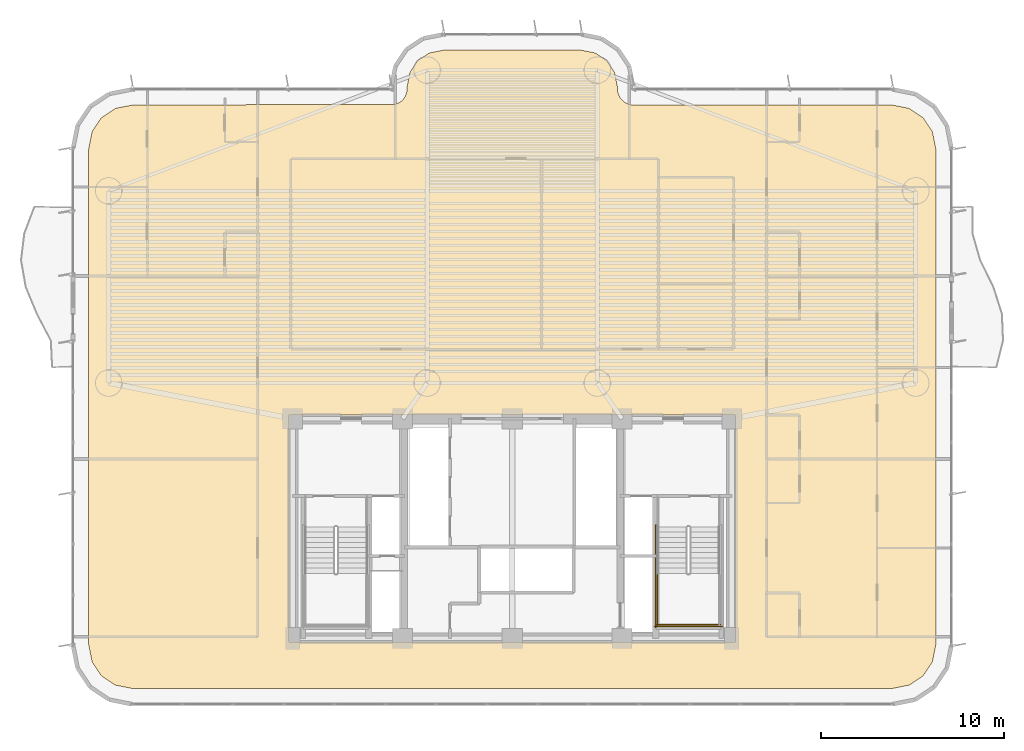
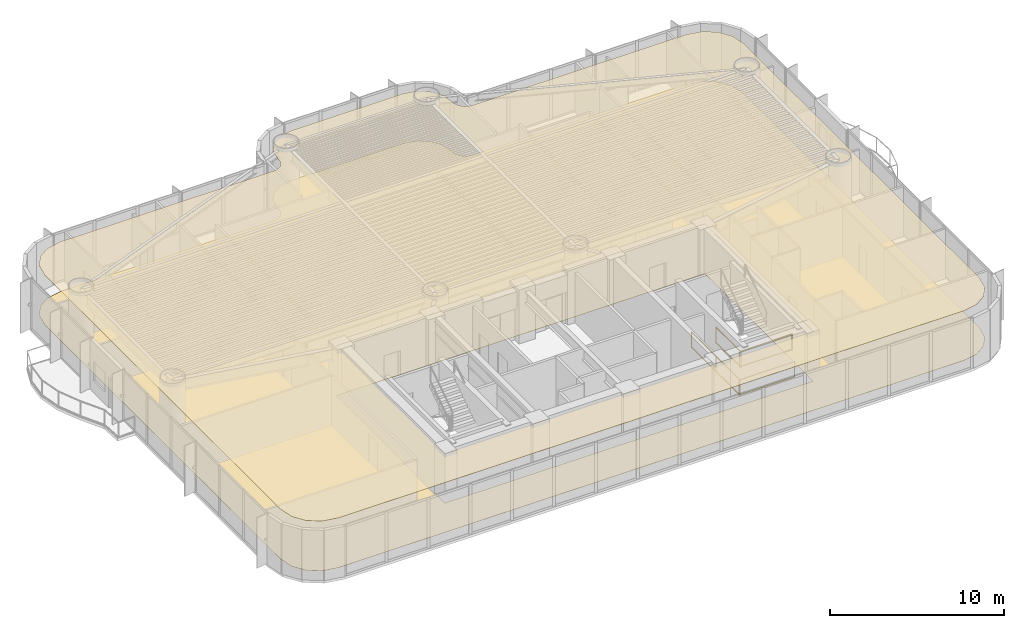
# One storey, part 16 of 18: 4 railings, 2 coverings.
"""IFC4 building model written with IfcOpenShell, lengths in metres."""

from ifc_helpers import new_model, si_unit, direction, frame, origin, origin_2d, place, context, subcontext, project, spatial, polyline, rectangle, outline, extrude, material, layer, layer_set, type_object, element, save


model = new_model("IFC4")

# Units and contexts
model_context = context("Model", 3, precision=1e-05, world=origin(), true_north=direction((0.0, 1.0)))
body_context = subcontext(model_context, "Body", "Model", "MODEL_VIEW")
ifc_project = project(units=[si_unit("LENGTHUNIT", "METRE"), si_unit("AREAUNIT", "SQUARE_METRE"), si_unit("VOLUMEUNIT", "CUBIC_METRE"), si_unit("PLANEANGLEUNIT", "RADIAN"), si_unit("MASSUNIT", "GRAM", prefix="KILO")], contexts=[model_context])

# Site, building, storey
site_placement = place(None, origin())
site = spatial("IfcSite", under=ifc_project, at=site_placement, CompositionType="ELEMENT")
building_placement = place(site_placement, origin())
building = spatial("IfcBuilding", under=site, at=building_placement, Name="Brelvock Crest Care Tower", CompositionType="ELEMENT")
storey_placement = place(building_placement, frame((0.0, 0.0, 72.360107421875)))
storey = spatial("IfcBuildingStorey", under=building, at=storey_placement, Name="L18", CompositionType="ELEMENT", Elevation=72.360107421875)

# Coverings
ifc_material_1 = material(Name="Mineral Fibre Acoustic Ceiling Tile", Category="gypsum")
ifc_layer_1 = layer(ifc_material_1, 0.02490234375, Name="COV-CLG1")
ifc_layer_set_1 = layer_set([ifc_layer_1], Name="Mineral Fibre Acoustic Ceiling Tile")
covering_type_1 = type_object("IfcCoveringType", Name="COV-CLG1", PredefinedType="CEILING", material=ifc_layer_set_1)
covering_1_placement = place(storey_placement, frame((0.0, 0.0, 3.474853515625)))
element("IfcCovering", 1, at=covering_1_placement, inside=storey, type_object=covering_type_1, Name="L18 Acoustic Suspended Ceiling 1", PredefinedType="CEILING", context=body_context, shape_type="SweptSolid", body=[
    extrude(outline(polyline([(56.71630859375, 35.14990234375), (42.5166015625, 35.154052734375), (42.353271484375, 35.1865234375), (42.127685546875, 35.293212890625), (41.893310546875, 35.52783203125), (41.766357421875, 35.834228515625), (41.75, 36.1162109375), (41.586181640625, 36.939697265625), (41.1669921875, 37.567138671875), (40.539794921875, 37.986083984375), (39.71630859375, 38.14990234375), (32.28369140625, 38.14990234375), (31.460205078125, 37.986083984375), (30.8330078125, 37.567138671875), (30.413818359375, 36.939697265625), (30.25, 36.1162109375), (30.233642578125, 35.834228515625), (30.149658203125, 35.599365234375), (30.0009765625, 35.39892578125), (29.872314453125, 35.293212890625), (29.56591796875, 35.166259765625), (15.28369140625, 35.14990234375), (14.30712890625, 34.955810546875), (13.550048828125, 34.449951171875), (13.044189453125, 33.69287109375), (12.85009765625, 32.71630859375), (12.85009765625, 5.68359375), (13.044189453125, 4.70703125), (13.550048828125, 3.9501953125), (14.30712890625, 3.4443359375), (15.28369140625, 3.25), (56.71630859375, 3.25), (57.69287109375, 3.4443359375), (58.449951171875, 3.9501953125), (58.955810546875, 4.70703125), (59.14990234375, 5.68359375), (59.14990234375, 32.71630859375), (58.955810546875, 33.69287109375), (58.449951171875, 34.449951171875), (57.69287109375, 34.955810546875), (56.71630859375, 35.14990234375)]), holes=[polyline([(48.199951171875, 5.800048828125), (48.199951171875, 18.199951171875), (23.800048828125, 18.199951171875), (23.800048828125, 5.800048828125), (48.199951171875, 5.800048828125)])]), origin(), (0.0, 0.0, 1.0), 0.025146484375),
])
ifc_material_2 = material(Name="Slip-Resistant Acoustic Vinyl Flooring", Category="finish")
ifc_layer_2 = layer(ifc_material_2, 0.014892578125, Name="COV-FLR1")
ifc_layer_set_2 = layer_set([ifc_layer_2], Name="Slip-Resistant Acoustic Vinyl Flooring")
covering_type_2 = type_object("IfcCoveringType", Name="COV-FLR1", PredefinedType="FLOORING", material=ifc_layer_set_2)
covering_2_placement = place(storey_placement, origin())
element("IfcCovering", 2, at=covering_2_placement, inside=storey, type_object=covering_type_2, Name="L18 Slip-Resistant Acoustic Flooring 1", PredefinedType="FLOORING", context=body_context, shape_type="SweptSolid", body=[
    extrude(outline(polyline([(56.71630859375, 35.14990234375), (42.5166015625, 35.154052734375), (42.353271484375, 35.1865234375), (42.127685546875, 35.293212890625), (41.893310546875, 35.52783203125), (41.766357421875, 35.834228515625), (41.75, 36.1162109375), (41.586181640625, 36.939697265625), (41.1669921875, 37.567138671875), (40.539794921875, 37.986083984375), (39.71630859375, 38.14990234375), (32.28369140625, 38.14990234375), (31.460205078125, 37.986083984375), (30.8330078125, 37.567138671875), (30.413818359375, 36.939697265625), (30.25, 36.1162109375), (30.233642578125, 35.834228515625), (30.149658203125, 35.599365234375), (30.0009765625, 35.39892578125), (29.872314453125, 35.293212890625), (29.56591796875, 35.166259765625), (15.28369140625, 35.14990234375), (14.30712890625, 34.955810546875), (13.550048828125, 34.449951171875), (13.044189453125, 33.69287109375), (12.85009765625, 32.71630859375), (12.85009765625, 5.68359375), (13.044189453125, 4.70703125), (13.550048828125, 3.9501953125), (14.30712890625, 3.4443359375), (15.28369140625, 3.25), (56.71630859375, 3.25), (57.69287109375, 3.4443359375), (58.449951171875, 3.9501953125), (58.955810546875, 4.70703125), (59.14990234375, 5.68359375), (59.14990234375, 32.71630859375), (58.955810546875, 33.69287109375), (58.449951171875, 34.449951171875), (57.69287109375, 34.955810546875), (56.71630859375, 35.14990234375)]), holes=[polyline([(48.199951171875, 5.800048828125), (48.199951171875, 18.199951171875), (23.800048828125, 18.199951171875), (23.800048828125, 5.800048828125), (48.199951171875, 5.800048828125)])]), origin(), (0.0, 0.0, 1.0), 0.014892578125),
])

# Railings
ifc_material_3 = material(Name="Steel Grade 350", Category="steel")
ifc_layer_3 = layer(ifc_material_3, 0.050048828125, Name="RL-STG1")
ifc_layer_set_3 = layer_set([ifc_layer_3], Name="Steel Grade 350")
railing_type = type_object("IfcRailingType", Name="RL-STG1", PredefinedType="GUARDRAIL", material=ifc_layer_set_3)
railing_1_placement = place(storey_placement, frame((43.93994140625, 9.56005859375, 1.889892578125)))
element("IfcRailing", 3, at=railing_1_placement, inside=storey, type_object=railing_type, Name="L18 ST-2 stair guard 3", PredefinedType="GUARDRAIL", context=body_context, shape_type="SweptSolid", body=[
    extrude(rectangle(XDim=0.048095703125, YDim=0.048095703125, at=origin_2d()), frame((0.0, -0.001953125, 1.11572265625), z_axis=(0.0, -1.0, 0.0), x_axis=(1.0, 0.0, 0.0)), (0.0, 0.0, 1.0), 2.856201171875),
    extrude(rectangle(XDim=0.048095703125, YDim=0.048095703125, at=origin_2d()), frame((0.0, -0.001953125, 0.054931640625), z_axis=(0.0, -1.0, 0.0), x_axis=(1.0, 0.0, 0.0)), (0.0, 0.0, 1.0), 2.856201171875),
    extrude(rectangle(XDim=0.0419921875, YDim=0.0419921875, at=origin_2d()), origin(), (0.0, 0.0, 1.0), 1.08984375),
    extrude(rectangle(XDim=0.0419921875, YDim=0.0419921875, at=origin_2d()), frame((0.0, -2.860107421875, 0.0)), (0.0, 0.0, 1.0), 1.08984375),
])
railing_2_placement = place(storey_placement, frame((43.889892578125, 6.75, 1.889892578125)))
element("IfcRailing", 4, at=railing_2_placement, inside=storey, type_object=railing_type, Name="L18 ST-2 stair guard 5", PredefinedType="GUARDRAIL", context=body_context, shape_type="SweptSolid", body=[
    extrude(rectangle(XDim=0.048095703125, YDim=0.048095703125, at=origin_2d()), frame((0.001953125, 0.0, 1.11572265625), z_axis=(1.0, 0.0, 0.0), x_axis=(0.0, 1.0, 0.0)), (0.0, 0.0, 1.0), 3.476318359375),
    extrude(rectangle(XDim=0.048095703125, YDim=0.048095703125, at=origin_2d()), frame((0.001953125, 0.0, 0.054931640625), z_axis=(1.0, 0.0, 0.0), x_axis=(0.0, 1.0, 0.0)), (0.0, 0.0, 1.0), 3.476318359375),
    extrude(rectangle(XDim=0.0419921875, YDim=0.0419921875, at=origin_2d()), origin(), (0.0, 0.0, 1.0), 1.08984375),
    extrude(rectangle(XDim=0.0419921875, YDim=0.0419921875, at=origin_2d()), frame((3.480224609375, 0.0, 0.0)), (0.0, 0.0, 1.0), 1.08984375),
])
railing_3_placement = place(storey_placement, frame((43.840087890625, 12.179931640625, 0.0)))
element("IfcRailing", 5, at=railing_3_placement, inside=storey, type_object=railing_type, Name="L18 ST-2 stair guard 10", PredefinedType="GUARDRAIL", context=body_context, shape_type="SweptSolid", body=[
    extrude(rectangle(XDim=0.048095703125, YDim=0.048095703125, at=origin_2d()), frame((0.0, -0.001953125, 1.11572265625), z_axis=(0.0, -1.0, 0.0), x_axis=(1.0, 0.0, 0.0)), (0.0, 0.0, 1.0), 5.575927734375),
    extrude(rectangle(XDim=0.048095703125, YDim=0.048095703125, at=origin_2d()), frame((0.0, -0.001953125, 0.054931640625), z_axis=(0.0, -1.0, 0.0), x_axis=(1.0, 0.0, 0.0)), (0.0, 0.0, 1.0), 5.575927734375),
    extrude(rectangle(XDim=0.0419921875, YDim=0.0419921875, at=origin_2d()), origin(), (0.0, 0.0, 1.0), 1.08984375),
    extrude(rectangle(XDim=0.0419921875, YDim=0.0419921875, at=origin_2d()), frame((0.0, -2.7900390625, 0.0)), (0.0, 0.0, 1.0), 1.08984375),
    extrude(rectangle(XDim=0.0419921875, YDim=0.0419921875, at=origin_2d()), frame((0.0, -5.579833984375, 0.0)), (0.0, 0.0, 1.0), 1.08984375),
])
railing_4_placement = place(storey_placement, frame((43.7900390625, 6.64990234375, 0.0)))
element("IfcRailing", 6, at=railing_4_placement, inside=storey, type_object=railing_type, Name="L18 ST-2 stair guard 12", PredefinedType="GUARDRAIL", context=body_context, shape_type="SweptSolid", body=[
    extrude(rectangle(XDim=0.048095703125, YDim=0.048095703125, at=origin_2d()), frame((0.001953125, 0.0, 1.11572265625), z_axis=(1.0, 0.0, 0.0), x_axis=(0.0, 1.0, 0.0)), (0.0, 0.0, 1.0), 3.676025390625),
    extrude(rectangle(XDim=0.048095703125, YDim=0.048095703125, at=origin_2d()), frame((0.001953125, 0.0, 0.054931640625), z_axis=(1.0, 0.0, 0.0), x_axis=(0.0, 1.0, 0.0)), (0.0, 0.0, 1.0), 3.676025390625),
    extrude(rectangle(XDim=0.0419921875, YDim=0.0419921875, at=origin_2d()), origin(), (0.0, 0.0, 1.0), 1.08984375),
    extrude(rectangle(XDim=0.0419921875, YDim=0.0419921875, at=origin_2d()), frame((3.679931640625, 0.0, 0.0)), (0.0, 0.0, 1.0), 1.08984375),
])

save(model, "model.ifc")
